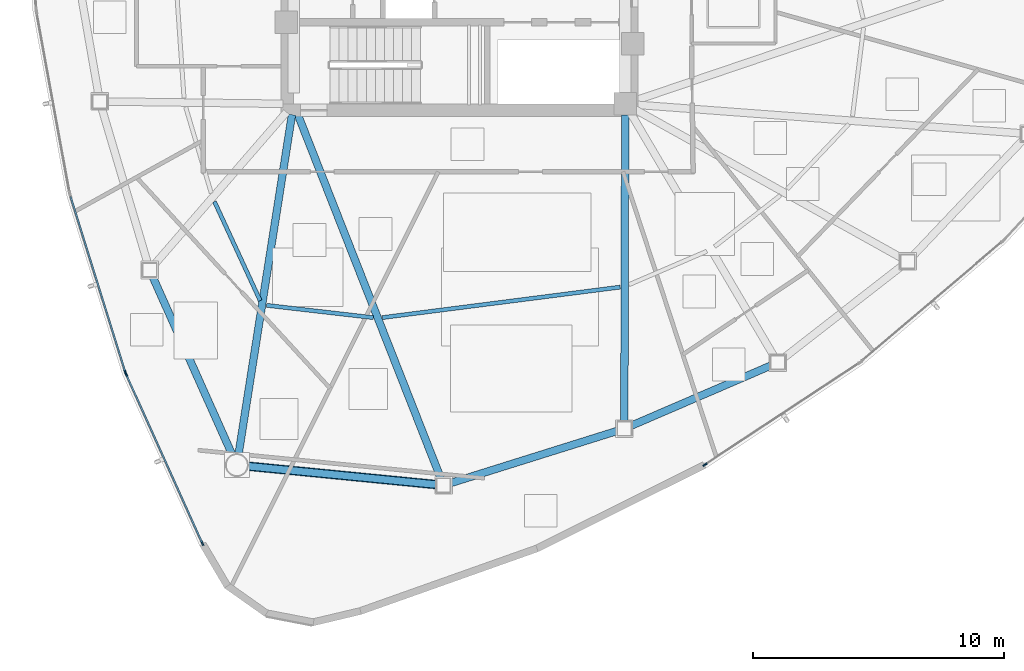
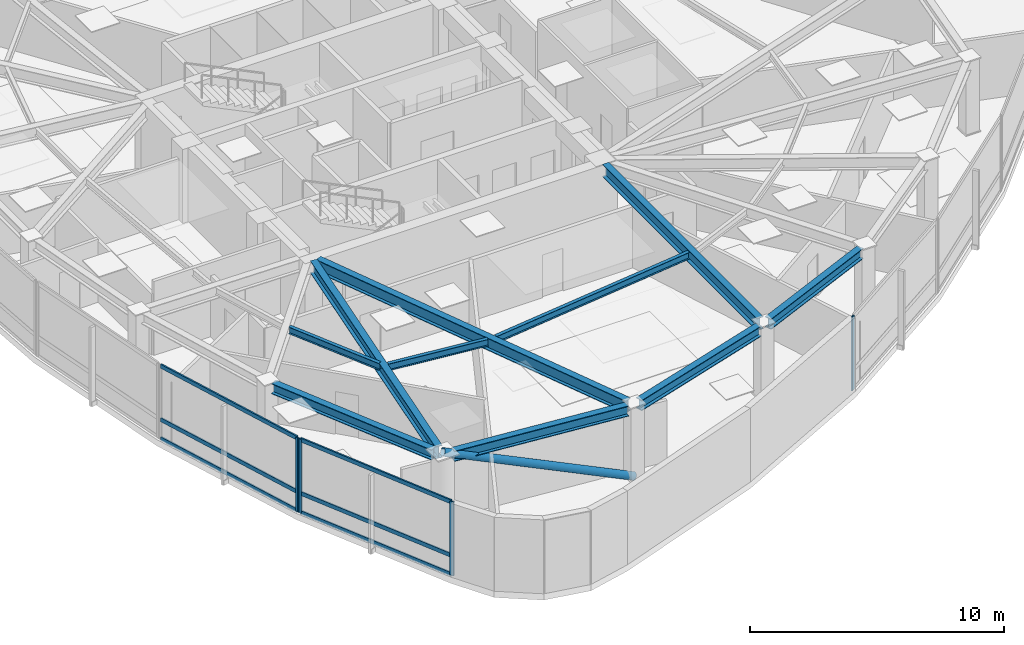
# One storey, part 2 of 17: 11 members, 10 beams, 3 elements without a shape of their own.
"""IFC4 building model written with IfcOpenShell, lengths in metres."""

from ifc_helpers import new_model, si_unit, direction, frame, origin, origin_2d, place, context, subcontext, project, spatial, hollow_rectangle, hollow_circle, i_section, extrude, source, transform, mapped, material, layer, layer_set, material_profile, profile_set, type_object, type_shapes, element, aggregate, save


model = new_model("IFC4")

# Units and contexts
model_context = context("Model", 3, precision=1e-05, world=origin(), true_north=direction((0.0, 1.0)))
body_context = subcontext(model_context, "Body", "Model", "MODEL_VIEW")
ifc_project = project(units=[si_unit("LENGTHUNIT", "METRE"), si_unit("AREAUNIT", "SQUARE_METRE"), si_unit("VOLUMEUNIT", "CUBIC_METRE"), si_unit("PLANEANGLEUNIT", "RADIAN"), si_unit("MASSUNIT", "GRAM", prefix="KILO")], contexts=[model_context])

# Site, building, storey
site_placement = place(None, origin())
site = spatial("IfcSite", under=ifc_project, at=site_placement, CompositionType="ELEMENT")
building_placement = place(site_placement, origin())
building = spatial("IfcBuilding", under=site, at=building_placement, Name="Tavelor Broadcast Tower", CompositionType="ELEMENT")
storey_placement = place(building_placement, frame((0.0, 0.0, 188.75)))
storey = spatial("IfcBuildingStorey", under=building, at=storey_placement, Name="L45", CompositionType="ELEMENT", Elevation=188.75)

# Beams
ifc_material_1 = material(Name="Steel S355", Category="steel")
ifc_material_profile_1 = material_profile(ifc_material_1, i_section(OverallWidth=0.159912109375, OverallDepth=0.330078125, WebThickness=0.007568359375, FlangeThickness=0.011474609375, at=origin_2d()), Name="IPE 330")
ifc_profile_set_1 = profile_set([ifc_material_profile_1], Name="Steel S355")
beam_type_1 = type_object("IfcBeamType", Name="Composite Floor Joist T4 IPE 330", PredefinedType="JOIST", material=ifc_profile_set_1)
beam_1_placement = place(storey_placement, frame((40.2470703125, 34.91259765625, 3.385009765625), z_axis=(0.418865688231, -0.908048200936, 0.0), x_axis=(0.908048200936, 0.418865688231, 0.0)))
element("IfcBeam", 1, at=beam_1_placement, inside=storey, type_object=beam_type_1, Name="L45 Secondary Composite Floor Joist 06", PredefinedType="JOIST", context=body_context, shape_type="SweptSolid", body=[
    extrude(i_section(OverallWidth=0.159912109375, OverallDepth=0.330078125, WebThickness=0.007568359375, FlangeThickness=0.011474609375, at=origin_2d()), origin(), (0.0, 0.0, 1.0), 4.343505859375),
])
beam_2_placement = place(storey_placement, frame((42.322021484375, 30.783447265625, 3.385009765625), z_axis=(0.99339343168, -0.114758397927, 0.0), x_axis=(0.114758397927, 0.99339343168, 0.0)))
element("IfcBeam", 2, at=beam_2_placement, inside=storey, type_object=beam_type_1, Name="L45 Secondary Composite Floor Joist 07", PredefinedType="JOIST", context=body_context, shape_type="SweptSolid", body=[
    extrude(i_section(OverallWidth=0.159912109375, OverallDepth=0.330078125, WebThickness=0.007568359375, FlangeThickness=0.011474609375, at=origin_2d()), origin(), (0.0, 0.0, 1.0), 4.2783203125),
])
beam_3_placement = place(storey_placement, frame((46.931396484375, 30.294921875, 3.385009765625), z_axis=(0.991879761862, 0.127179157129, 0.0), x_axis=(-0.127179157129, 0.991879761862, 0.0)))
element("IfcBeam", 3, at=beam_3_placement, inside=storey, type_object=beam_type_1, Name="L45 Secondary Composite Floor Joist 08", PredefinedType="JOIST", context=body_context, shape_type="SweptSolid", body=[
    extrude(i_section(OverallWidth=0.159912109375, OverallDepth=0.330078125, WebThickness=0.007568359375, FlangeThickness=0.011474609375, at=origin_2d()), origin(), (0.0, 0.0, 1.0), 9.54443359375),
])
ifc_material_profile_2 = material_profile(ifc_material_1, i_section(OverallWidth=0.300048828125, OverallDepth=0.5, WebThickness=0.014404296875, FlangeThickness=0.028076171875, at=origin_2d()), Name="HEB 500")
ifc_profile_set_2 = profile_set([ifc_material_profile_2], Name="Steel S355")
beam_type_2 = type_object("IfcBeamType", Name="Perimeter Spandrel Beam T4 HEB 500", PredefinedType="SPANDREL", material=ifc_profile_set_2)
beam_4_placement = place(storey_placement, frame((37.78564453125, 31.927490234375, 3.300048828125), z_axis=(0.407969002466, -0.912995779304, 0.0), x_axis=(0.912995779304, 0.407969002466, 0.0)))
element("IfcBeam", 4, at=beam_4_placement, inside=storey, type_object=beam_type_2, Name="L45 Framed-Tube Ring Spandrel 06", PredefinedType="SPANDREL", context=body_context, shape_type="SweptSolid", body=[
    extrude(i_section(OverallWidth=0.300048828125, OverallDepth=0.5, WebThickness=0.014404296875, FlangeThickness=0.028076171875, at=origin_2d()), origin(), (0.0, 0.0, 1.0), 7.7802734375),
])
beam_5_placement = place(storey_placement, frame((41.5751953125, 24.381103515625, 3.300048828125), z_axis=(0.995249339376, -0.097358884918, 0.0), x_axis=(0.097358884918, 0.995249339376, 0.0)))
element("IfcBeam", 5, at=beam_5_placement, inside=storey, type_object=beam_type_2, Name="L45 Framed-Tube Ring Spandrel 07", PredefinedType="SPANDREL", context=body_context, shape_type="SweptSolid", body=[
    extrude(i_section(OverallWidth=0.300048828125, OverallDepth=0.5, WebThickness=0.014404296875, FlangeThickness=0.028076171875, at=origin_2d()), origin(), (0.0, 0.0, 1.0), 7.54052734375),
])
beam_6_placement = place(storey_placement, frame((49.641357421875, 23.705078125, 3.300048828125), z_axis=(0.954273247332, 0.298935727918, 0.0), x_axis=(-0.298935727918, 0.954273247332, 0.0)))
element("IfcBeam", 6, at=beam_6_placement, inside=storey, type_object=beam_type_2, Name="L45 Framed-Tube Ring Spandrel 08", PredefinedType="SPANDREL", context=body_context, shape_type="SweptSolid", body=[
    extrude(i_section(OverallWidth=0.300048828125, OverallDepth=0.5, WebThickness=0.014404296875, FlangeThickness=0.028076171875, at=origin_2d()), origin(), (0.0, 0.0, 1.0), 6.963134765625),
])
beam_7_placement = place(storey_placement, frame((56.825439453125, 25.98681640625, 3.300048828125), z_axis=(0.91846180915, 0.395509677672, 0.0), x_axis=(-0.395509677672, 0.91846180915, 0.0)))
element("IfcBeam", 7, at=beam_7_placement, inside=storey, type_object=beam_type_2, Name="L45 Framed-Tube Ring Spandrel 09", PredefinedType="SPANDREL", context=body_context, shape_type="SweptSolid", body=[
    extrude(i_section(OverallWidth=0.300048828125, OverallDepth=0.5, WebThickness=0.014404296875, FlangeThickness=0.028076171875, at=origin_2d()), origin(), (0.0, 0.0, 1.0), 6.07470703125),
])

# Member
ifc_material_profile_3 = material_profile(ifc_material_1, hollow_circle(Radius=0.177734375, WallThickness=0.01611328125, at=origin_2d()), Name="CHS 355.6x16")
ifc_profile_set_3 = profile_set([ifc_material_profile_3], Name="Steel S355")
member_type_1 = type_object("IfcMemberType", Name="Perimeter Tube Brace T4 CHS 355.6x16", PredefinedType="BRACE", material=ifc_profile_set_3)
member_1_placement = place(storey_placement, frame((49.366455078125, 23.618896484375, 0.0), z_axis=(-0.914496364203, 0.089466025126, 0.394578547577), x_axis=(-0.097366094377, -0.995248634094, 0.0)))
element("IfcMember", 8, at=member_1_placement, inside=storey, type_object=member_type_1, Name="L45 Corner Tube Diagonal Brace 2", PredefinedType="BRACE", context=body_context, shape_type="SweptSolid", body=[
    extrude(hollow_circle(Radius=0.177734375, WallThickness=0.01611328125, at=origin_2d()), origin(), (0.0, 0.0, 1.0), 8.9970703125),
])

# Beams
ifc_material_profile_4 = material_profile(ifc_material_1, i_section(OverallWidth=0.300048828125, OverallDepth=0.590087890625, WebThickness=0.012939453125, FlangeThickness=0.02490234375, at=origin_2d()), Name="HEA 600")
ifc_profile_set_4 = profile_set([ifc_material_profile_4], Name="Steel S355")
beam_type_3 = type_object("IfcBeamType", Name="Radial Floor Girder T4 HEA 600", PredefinedType="BEAM", material=ifc_profile_set_4)
beam_8_placement = place(storey_placement, frame((43.3330078125, 38.373291015625, 3.2548828125), z_axis=(-0.15539903111, -0.987851780952, 0.0), x_axis=(0.987851780952, -0.15539903111, 0.0)))
element("IfcBeam", 9, at=beam_8_placement, inside=storey, type_object=beam_type_3, Name="L45 Radial Primary Floor Girder 07", PredefinedType="BEAM", context=body_context, shape_type="SweptSolid", body=[
    extrude(i_section(OverallWidth=0.300048828125, OverallDepth=0.590087890625, WebThickness=0.012939453125, FlangeThickness=0.02490234375, at=origin_2d()), origin(), (0.0, 0.0, 1.0), 13.682373046875),
])
beam_9_placement = place(storey_placement, frame((43.55810546875, 38.39794921875, 3.2548828125), z_axis=(0.365784627572, -0.930699525213, 0.0), x_axis=(0.930699525213, 0.365784627572, 0.0)))
element("IfcBeam", 10, at=beam_9_placement, inside=storey, type_object=beam_type_3, Name="L45 Radial Primary Floor Girder 08", PredefinedType="BEAM", context=body_context, shape_type="SweptSolid", body=[
    extrude(i_section(OverallWidth=0.300048828125, OverallDepth=0.590087890625, WebThickness=0.012939453125, FlangeThickness=0.02490234375, at=origin_2d()), origin(), (0.0, 0.0, 1.0), 15.591552734375),
])
beam_10_placement = place(storey_placement, frame((56.5986328125, 38.367919921875, 3.2548828125), z_axis=(-0.0029999865, -0.99999550003, 0.0), x_axis=(0.99999550003, -0.0029999865, 0.0)))
element("IfcBeam", 11, at=beam_10_placement, inside=storey, type_object=beam_type_3, Name="L45 Radial Primary Floor Girder 09", PredefinedType="BEAM", context=body_context, shape_type="SweptSolid", body=[
    extrude(i_section(OverallWidth=0.300048828125, OverallDepth=0.590087890625, WebThickness=0.012939453125, FlangeThickness=0.02490234375, at=origin_2d()), origin(), (0.0, 0.0, 1.0), 12.20703125),
])

# Curtain wall, member
ifc_material_2 = material(Name="Architectural Anodized Aluminium", Category="aluminium")
ifc_layer = layer(ifc_material_2, 0.18994140625)
ifc_layer_set = layer_set([ifc_layer], Name="Architectural Anodized Aluminium")
curtain_wall_type = type_object("IfcCurtainWallType", Name="Tower Mid-Zone Acoustic Curtain Wall CW03", PredefinedType="NOTDEFINED", material=ifc_layer_set)
curtain_wall_1_placement = place(storey_placement, origin())
curtain_wall_1 = element("IfcCurtainWall", 12, at=curtain_wall_1_placement, inside=storey, type_object=curtain_wall_type, Name="L45 Curtain Wall CW03 Run 483", PredefinedType="NOTDEFINED")
ifc_material_profile_5 = material_profile(ifc_material_2, hollow_rectangle(XDim=0.068115234375, YDim=0.18994140625, WallThickness=0.02197265625, at=origin_2d()), Name="RHS 68x190x22")
ifc_profile_set_5 = profile_set([ifc_material_profile_5], Name="Architectural Anodized Aluminium")
member_type_2 = type_object("IfcMemberType", Name="CW03 Extruded Aluminium Mullion 68x190", PredefinedType="MULLION", material=ifc_profile_set_5)
shared_shape_1 = source(origin(), body_context, "Body", "SweptSolid", [
    extrude(hollow_rectangle(XDim=0.068115234375, YDim=0.18994140625, WallThickness=0.02197265625, at=origin_2d()), origin(), (0.0, 0.0, 1.0), 3.550048828125),
])
type_shapes(member_type_2, [shared_shape_1])
member_2_placement = place(storey_placement, frame((36.698974609375, 28.125244140625, 0.0), z_axis=(0.0, 0.0, 1.0), x_axis=(0.954626551913, 0.297805551296, 0.0)))
member_2 = element("IfcMember", 13, at=member_2_placement, type_object=member_type_2, Name="CW03 mullion 2", PredefinedType="MULLION", context=body_context, shape_type="MappedRepresentation", body=[
    mapped(shared_shape_1, transform((0.0, 0.0, 0.0), scale=1.0)),
])

# Curtain wall, members
curtain_wall_2_placement = place(storey_placement, origin())
curtain_wall_2 = element("IfcCurtainWall", 14, at=curtain_wall_2_placement, inside=storey, type_object=curtain_wall_type, Name="L45 Curtain Wall CW03 Run 484", PredefinedType="NOTDEFINED")
member_3_placement = place(storey_placement, frame((36.73388671875, 28.03369140625, 0.0), z_axis=(0.0, 0.0, 1.0), x_axis=(0.911572335539, 0.411139729386, 0.0)))
member_3 = element("IfcMember", 15, at=member_3_placement, type_object=member_type_2, Name="CW03 mullion 1", PredefinedType="MULLION", context=body_context, shape_type="MappedRepresentation", body=[
    mapped(shared_shape_1, transform((0.0, 0.0, 0.0), scale=1.0)),
])
member_4_placement = place(storey_placement, frame((39.7646484375, 21.31396484375, 0.0), z_axis=(0.0, 0.0, 1.0), x_axis=(0.911572335539, 0.411139729386, 0.0)))
member_4 = element("IfcMember", 16, at=member_4_placement, type_object=member_type_2, Name="CW03 mullion 2", PredefinedType="MULLION", context=body_context, shape_type="MappedRepresentation", body=[
    mapped(shared_shape_1, transform((0.0, 0.0, 0.0), scale=1.0)),
])

# Curtain wall, member
curtain_wall_3_placement = place(storey_placement, origin())
curtain_wall_3 = element("IfcCurtainWall", 17, at=curtain_wall_3_placement, inside=storey, type_object=curtain_wall_type, Name="L45 Curtain Wall CW03 Run 485", PredefinedType="NOTDEFINED")
member_5_placement = place(storey_placement, frame((59.774658203125, 24.44140625, 0.0), z_axis=(0.0, 0.0, 1.0), x_axis=(-0.550844268486, 0.834608046856, 0.0)))
member_5 = element("IfcMember", 18, at=member_5_placement, type_object=member_type_2, Name="CW03 mullion 1", PredefinedType="MULLION", context=body_context, shape_type="MappedRepresentation", body=[
    mapped(shared_shape_1, transform((0.0, 0.0, 0.0), scale=1.0)),
])
aggregate(curtain_wall_3, [member_5])

# Member
ifc_material_profile_6 = material_profile(ifc_material_2, hollow_rectangle(XDim=0.068115234375, YDim=0.18994140625, WallThickness=0.02197265625, at=origin_2d()), Name="RHS 68x190x22")
ifc_profile_set_6 = profile_set([ifc_material_profile_6], Name="Architectural Anodized Aluminium")
member_type_3 = type_object("IfcMemberType", Name="CW03 Extruded Aluminium Transom 68x190", PredefinedType="USERDEFINED", material=ifc_profile_set_6)
shared_shape_2 = source(origin(), body_context, "Body", "SweptSolid", [
    extrude(hollow_rectangle(XDim=0.068115234375, YDim=0.18994140625, WallThickness=0.02197265625, at=origin_2d()), origin(), (0.0, 0.0, 1.0), 7.28759765625),
])
member_6_placement = place(storey_placement, frame((34.5185546875, 35.114501953125, 0.033935546875), z_axis=(0.297826686423, -0.954619958337, 0.0), x_axis=(0.954619958337, 0.297826686423, 0.0)))
member_6 = element("IfcMember", 19, at=member_6_placement, type_object=member_type_3, Name="CW03 transom 1.1", ObjectType="TRANSOM", PredefinedType="USERDEFINED", context=body_context, shape_type="MappedRepresentation", body=[
    mapped(shared_shape_2, transform((0.0, 0.0, 0.0), scale=1.0)),
])

member_7_placement = place(storey_placement, frame((34.5185546875, 35.114501953125, 0.949951171875), z_axis=(0.297826686423, -0.954619958337, 0.0), x_axis=(0.954619958337, 0.297826686423, 0.0)))
member_7 = element("IfcMember", 20, at=member_7_placement, type_object=member_type_3, Name="CW03 transom 1.2", ObjectType="TRANSOM", PredefinedType="USERDEFINED", context=body_context, shape_type="MappedRepresentation", body=[
    mapped(shared_shape_2, transform((0.0, 0.0, 0.0), scale=1.0)),
])

member_8_placement = place(storey_placement, frame((34.5185546875, 35.114501953125, 3.51611328125), z_axis=(0.297826686423, -0.954619958337, 0.0), x_axis=(0.954619958337, 0.297826686423, 0.0)))
member_8 = element("IfcMember", 21, at=member_8_placement, type_object=member_type_3, Name="CW03 transom 1.3", ObjectType="TRANSOM", PredefinedType="USERDEFINED", context=body_context, shape_type="MappedRepresentation", body=[
    mapped(shared_shape_2, transform((0.0, 0.0, 0.0), scale=1.0)),
])

aggregate(curtain_wall_1, [member_2, member_6, member_7, member_8])

shared_shape_3 = source(origin(), body_context, "Body", "SweptSolid", [
    extrude(hollow_rectangle(XDim=0.068115234375, YDim=0.18994140625, WallThickness=0.02197265625, at=origin_2d()), origin(), (0.0, 0.0, 1.0), 7.3037109375),
])
type_shapes(member_type_3, [shared_shape_2, shared_shape_3])
member_9_placement = place(storey_placement, frame((36.747802734375, 28.002685546875, 0.033935546875), z_axis=(0.411156772216, -0.911564648646, 0.0), x_axis=(0.911564648646, 0.411156772216, 0.0)))
member_9 = element("IfcMember", 22, at=member_9_placement, type_object=member_type_3, Name="CW03 transom 1.1", ObjectType="TRANSOM", PredefinedType="USERDEFINED", context=body_context, shape_type="MappedRepresentation", body=[
    mapped(shared_shape_3, transform((0.0, 0.0, 0.0), scale=1.0)),
])

member_10_placement = place(storey_placement, frame((36.747802734375, 28.002685546875, 0.949951171875), z_axis=(0.411156772216, -0.911564648646, 0.0), x_axis=(0.911564648646, 0.411156772216, 0.0)))
member_10 = element("IfcMember", 23, at=member_10_placement, type_object=member_type_3, Name="CW03 transom 1.2", ObjectType="TRANSOM", PredefinedType="USERDEFINED", context=body_context, shape_type="MappedRepresentation", body=[
    mapped(shared_shape_3, transform((0.0, 0.0, 0.0), scale=1.0)),
])

member_11_placement = place(storey_placement, frame((36.747802734375, 28.002685546875, 3.51611328125), z_axis=(0.411156772216, -0.911564648646, 0.0), x_axis=(0.911564648646, 0.411156772216, 0.0)))
member_11 = element("IfcMember", 24, at=member_11_placement, type_object=member_type_3, Name="CW03 transom 1.3", ObjectType="TRANSOM", PredefinedType="USERDEFINED", context=body_context, shape_type="MappedRepresentation", body=[
    mapped(shared_shape_3, transform((0.0, 0.0, 0.0), scale=1.0)),
])

aggregate(curtain_wall_2, [member_3, member_4, member_9, member_10, member_11])

save(model, "model.ifc")
